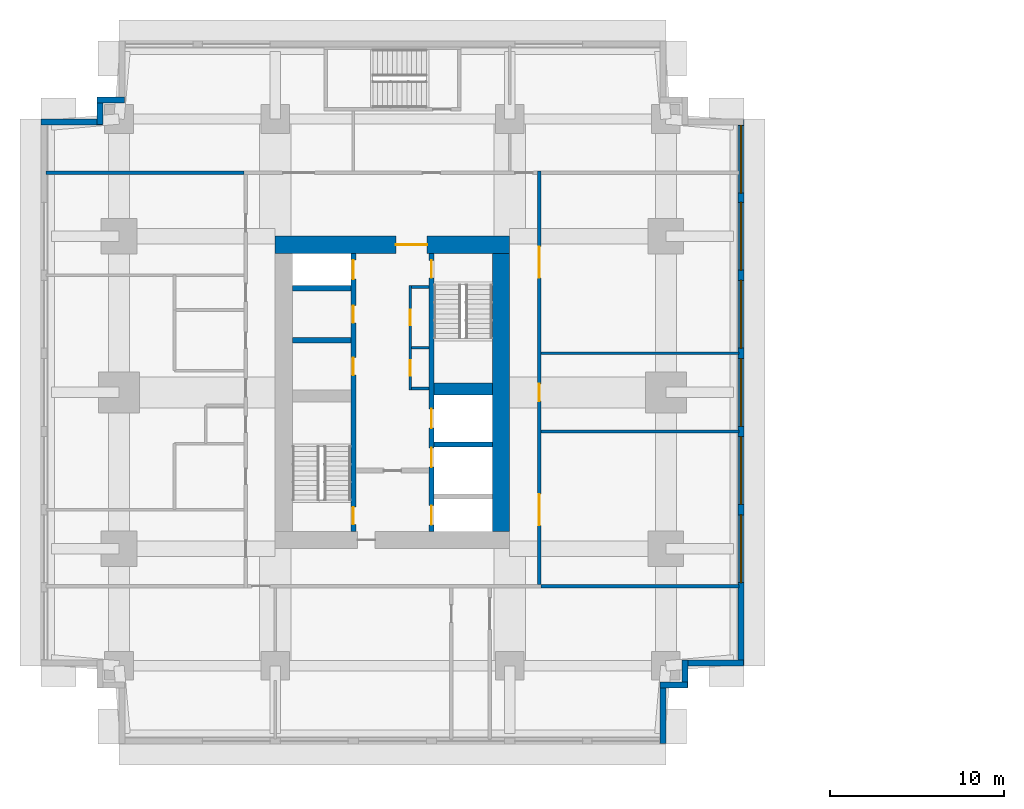
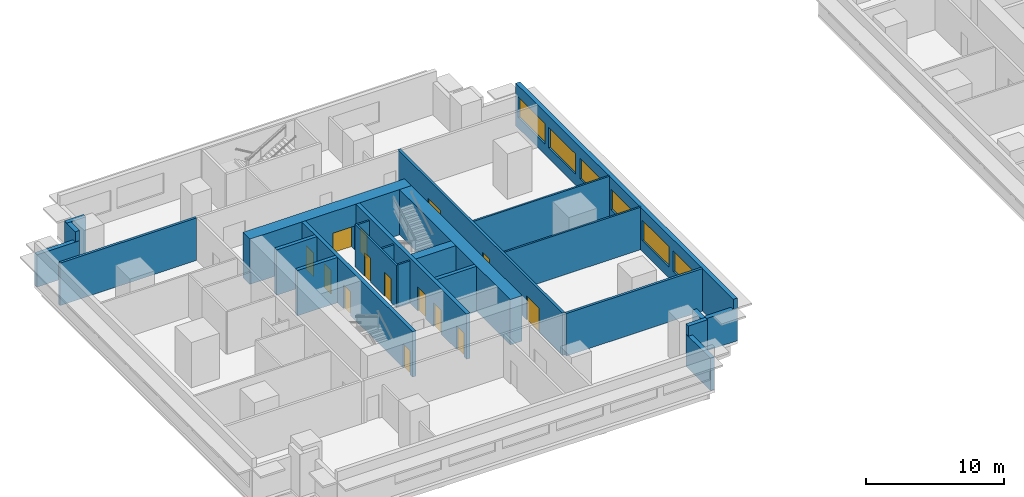
# One storey, part 4 of 11: 25 walls, 14 doors, 6 windows, 20 openings.
"""IFC4 building model written with IfcOpenShell, lengths in metres."""

from ifc_helpers import new_model, si_unit, direction, frame, frame_2d, origin, place, context, subcontext, project, spatial, rectangle, extrude, material, layer, layer_set, type_object, element, fill, save


model = new_model("IFC4")

# Units and contexts
model_context = context("Model", 3, precision=1e-05, world=origin(), true_north=direction((0.0, 1.0)))
body_context = subcontext(model_context, "Body", "Model", "MODEL_VIEW")
ifc_project = project(units=[si_unit("LENGTHUNIT", "METRE"), si_unit("AREAUNIT", "SQUARE_METRE"), si_unit("VOLUMEUNIT", "CUBIC_METRE"), si_unit("PLANEANGLEUNIT", "RADIAN"), si_unit("MASSUNIT", "GRAM", prefix="KILO")], contexts=[model_context])

# Site, building, storey
site_placement = place(None, origin())
site = spatial("IfcSite", under=ifc_project, at=site_placement, CompositionType="ELEMENT")
building_placement = place(site_placement, origin())
building = spatial("IfcBuilding", under=site, at=building_placement, Name="Namib Vertical Campus", CompositionType="ELEMENT")
storey_placement = place(building_placement, frame((0.0, 0.0, 201.0)))
storey = spatial("IfcBuildingStorey", under=building, at=storey_placement, Name="L47", CompositionType="ELEMENT", Elevation=201.0)

# Wall, openings, doors
ifc_material_1 = material(Name="Concrete C60/75", Category="concrete")
ifc_layer_1 = layer(ifc_material_1, 0.300048828125)
ifc_layer_set_1 = layer_set([ifc_layer_1], Name="Concrete C60/75")
wall_type_1 = type_object("IfcWallType", Name="Core inner wall 300", PredefinedType="SHEAR", material=ifc_layer_set_1)
wall_1_placement = place(storey_placement, frame((18.0, 12.25, 0.0), z_axis=(0.0, 0.0, 1.0), x_axis=(0.0, 1.0, 0.0)))
wall_1 = element("IfcWall", 1, at=wall_1_placement, inside=storey, type_object=wall_type_1, Name="Core inner wall A L47 W1", PredefinedType="SHEAR", context=body_context, shape_type="SweptSolid", body=[
    extrude(rectangle(XDim=16.0, YDim=0.300048828125, at=frame_2d((8.0, 0.0))), origin(), (0.0, 0.0, 1.0), 4.0),
])
opening_1_placement = place(wall_1_placement, frame((0.39990234375, 0.0, 0.0)))
opening_1 = element("IfcOpeningElement", 2, at=opening_1_placement, cuts=wall_1, Name="Opening FD1", PredefinedType="OPENING", context=body_context, shape_type="SweptSolid", body=[
    extrude(rectangle(XDim=1.0, YDim=2.10009765625, at=frame_2d((0.5, 1.050048828125))), frame((0.0, 0.159912109375, 0.0), z_axis=(0.0, -1.0, 0.0), x_axis=(1.0, 0.0, 0.0)), (0.0, 0.0, 1.0), 0.320068359375),
])
opening_2_placement = place(wall_1_placement, frame((14.52490234375, 0.0, 0.0)))
opening_2 = element("IfcOpeningElement", 3, at=opening_2_placement, cuts=wall_1, Name="Opening LD1", PredefinedType="OPENING", context=body_context, shape_type="SweptSolid", body=[
    extrude(rectangle(XDim=1.10009765625, YDim=2.10009765625, at=frame_2d((0.550048828125, 1.050048828125))), frame((0.0, 0.159912109375, 0.0), z_axis=(0.0, -1.0, 0.0), x_axis=(1.0, 0.0, 0.0)), (0.0, 0.0, 1.0), 0.320068359375),
])
opening_3_placement = place(wall_1_placement, frame((9.0, 0.0, 0.0)))
opening_3 = element("IfcOpeningElement", 4, at=opening_3_placement, cuts=wall_1, Name="Opening D1", PredefinedType="OPENING", context=body_context, shape_type="SweptSolid", body=[
    extrude(rectangle(XDim=1.0, YDim=2.10009765625, at=frame_2d((0.5, 1.050048828125))), frame((0.0, 0.159912109375, 0.0), z_axis=(0.0, -1.0, 0.0), x_axis=(1.0, 0.0, 0.0)), (0.0, 0.0, 1.0), 0.320068359375),
])
opening_4_placement = place(wall_1_placement, frame((12.0, 0.0, 0.0)))
opening_4 = element("IfcOpeningElement", 5, at=opening_4_placement, cuts=wall_1, Name="Opening D1", PredefinedType="OPENING", context=body_context, shape_type="SweptSolid", body=[
    extrude(rectangle(XDim=1.0, YDim=2.10009765625, at=frame_2d((0.5, 1.050048828125))), frame((0.0, 0.159912109375, 0.0), z_axis=(0.0, -1.0, 0.0), x_axis=(1.0, 0.0, 0.0)), (0.0, 0.0, 1.0), 0.320068359375),
])
ifc_material_2 = material(Name="Timber door leaf", Category="wood")
door_type_1 = type_object("IfcDoorType", Name="Door single 1000x2100", OperationType="SINGLE_SWING_LEFT", PredefinedType="DOOR", material=ifc_material_2)
door_1_placement = place(opening_3_placement, origin())
door_1 = element("IfcDoor", 6, at=door_1_placement, inside=storey, type_object=door_type_1, Name="Door D1 Store A L47 P1", OperationType="SINGLE_SWING_LEFT", OverallHeight=2.10009765625, OverallWidth=1.0, PredefinedType="DOOR", context=body_context, shape_type="SweptSolid", body=[
    extrude(rectangle(XDim=1.0, YDim=2.10009765625, at=frame_2d((0.5, 1.050048828125))), frame((0.0, 0.02490234375, 0.0), z_axis=(0.0, -1.0, 0.0), x_axis=(1.0, 0.0, 0.0)), (0.0, 0.0, 1.0), 0.050048828125),
])
fill(opening_3, door_1)
door_2_placement = place(opening_4_placement, origin())
door_2 = element("IfcDoor", 7, at=door_2_placement, inside=storey, type_object=door_type_1, Name="Door D1 Comms room A L47 P2", OperationType="SINGLE_SWING_LEFT", OverallHeight=2.10009765625, OverallWidth=1.0, PredefinedType="DOOR", context=body_context, shape_type="SweptSolid", body=[
    extrude(rectangle(XDim=1.0, YDim=2.10009765625, at=frame_2d((0.5, 1.050048828125))), frame((0.0, 0.02490234375, 0.0), z_axis=(0.0, -1.0, 0.0), x_axis=(1.0, 0.0, 0.0)), (0.0, 0.0, 1.0), 0.050048828125),
])
fill(opening_4, door_2)
ifc_material_3 = material(Name="Steel fire door", Category="steel")
door_type_2 = type_object("IfcDoorType", Name="Fire door 1000x2100", OperationType="SINGLE_SWING_RIGHT", PredefinedType="DOOR", material=ifc_material_3)
door_3_placement = place(opening_1_placement, origin())
door_3 = element("IfcDoor", 8, at=door_3_placement, inside=storey, type_object=door_type_2, Name="Stair door FD1 A L47 S1", OperationType="SINGLE_SWING_LEFT", OverallHeight=2.10009765625, OverallWidth=1.0, PredefinedType="DOOR", context=body_context, shape_type="SweptSolid", body=[
    extrude(rectangle(XDim=1.0, YDim=2.10009765625, at=frame_2d((0.5, 1.050048828125))), frame((0.0, 0.02490234375, 0.0), z_axis=(0.0, -1.0, 0.0), x_axis=(1.0, 0.0, 0.0)), (0.0, 0.0, 1.0), 0.050048828125),
])
fill(opening_1, door_3)
ifc_material_4 = material(Name="Stainless steel lift door", Category="steel")
door_type_3 = type_object("IfcDoorType", Name="Lift landing door 1100x2100", OperationType="DOUBLE_DOOR_SLIDING", PredefinedType="DOOR", material=ifc_material_4)
door_4_placement = place(opening_2_placement, origin())
door_4 = element("IfcDoor", 9, at=door_4_placement, inside=storey, type_object=door_type_3, Name="Lift landing door LD1 A-P3 L47", OperationType="DOUBLE_DOOR_SLIDING", OverallHeight=2.10009765625, OverallWidth=1.10009765625, PredefinedType="DOOR", context=body_context, shape_type="SweptSolid", body=[
    extrude(rectangle(XDim=1.10009765625, YDim=2.10009765625, at=frame_2d((0.550048828125, 1.050048828125))), frame((0.0, 0.02490234375, 0.0), z_axis=(0.0, -1.0, 0.0), x_axis=(1.0, 0.0, 0.0)), (0.0, 0.0, 1.0), 0.050048828125),
])
fill(opening_2, door_4)

wall_2_placement = place(storey_placement, frame((22.5, 12.25, 0.0), z_axis=(0.0, 0.0, 1.0), x_axis=(0.0, 1.0, 0.0)))
wall_2 = element("IfcWall", 10, at=wall_2_placement, inside=storey, type_object=wall_type_1, Name="Core inner wall A L47 W2", PredefinedType="SHEAR", context=body_context, shape_type="SweptSolid", body=[
    extrude(rectangle(XDim=16.0, YDim=0.300048828125, at=frame_2d((8.0, 0.0))), origin(), (0.0, 0.0, 1.0), 4.0),
])
opening_5_placement = place(wall_2_placement, frame((14.60009765625, 0.0, 0.0)))
opening_5 = element("IfcOpeningElement", 11, at=opening_5_placement, cuts=wall_2, Name="Opening FD1", PredefinedType="OPENING", context=body_context, shape_type="SweptSolid", body=[
    extrude(rectangle(XDim=1.0, YDim=2.10009765625, at=frame_2d((0.5, 1.050048828125))), frame((0.0, 0.159912109375, 0.0), z_axis=(0.0, -1.0, 0.0), x_axis=(1.0, 0.0, 0.0)), (0.0, 0.0, 1.0), 0.320068359375),
])
opening_6_placement = place(wall_2_placement, frame((0.375, 0.0, 0.0)))
opening_6 = element("IfcOpeningElement", 12, at=opening_6_placement, cuts=wall_2, Name="Opening LD1", PredefinedType="OPENING", context=body_context, shape_type="SweptSolid", body=[
    extrude(rectangle(XDim=1.10009765625, YDim=2.10009765625, at=frame_2d((0.550048828125, 1.050048828125))), frame((0.0, 0.159912109375, 0.0), z_axis=(0.0, -1.0, 0.0), x_axis=(1.0, 0.0, 0.0)), (0.0, 0.0, 1.0), 0.320068359375),
])
opening_7_placement = place(wall_2_placement, frame((3.699951171875, 0.0, 0.0)))
opening_7 = element("IfcOpeningElement", 13, at=opening_7_placement, cuts=wall_2, Name="Opening LD1", PredefinedType="OPENING", context=body_context, shape_type="SweptSolid", body=[
    extrude(rectangle(XDim=1.10009765625, YDim=2.10009765625, at=frame_2d((0.550048828125, 1.050048828125))), frame((0.0, 0.159912109375, 0.0), z_axis=(0.0, -1.0, 0.0), x_axis=(1.0, 0.0, 0.0)), (0.0, 0.0, 1.0), 0.320068359375),
])
opening_8_placement = place(wall_2_placement, frame((5.949951171875, 0.0, 0.0)))
opening_8 = element("IfcOpeningElement", 14, at=opening_8_placement, cuts=wall_2, Name="Opening LD1", PredefinedType="OPENING", context=body_context, shape_type="SweptSolid", body=[
    extrude(rectangle(XDim=1.10009765625, YDim=2.10009765625, at=frame_2d((0.550048828125, 1.050048828125))), frame((0.0, 0.159912109375, 0.0), z_axis=(0.0, -1.0, 0.0), x_axis=(1.0, 0.0, 0.0)), (0.0, 0.0, 1.0), 0.320068359375),
])
door_5_placement = place(opening_5_placement, frame((1.0, 0.0, 0.0), z_axis=(0.0, 0.0, 1.0), x_axis=(-1.0, 0.0, 0.0)))
door_5 = element("IfcDoor", 15, at=door_5_placement, inside=storey, type_object=door_type_2, Name="Stair door FD1 A L47 S2", OperationType="SINGLE_SWING_LEFT", OverallHeight=2.10009765625, OverallWidth=1.0, PredefinedType="DOOR", context=body_context, shape_type="SweptSolid", body=[
    extrude(rectangle(XDim=1.0, YDim=2.10009765625, at=frame_2d((0.5, 1.050048828125))), frame((0.0, 0.02490234375, 0.0), z_axis=(0.0, -1.0, 0.0), x_axis=(1.0, 0.0, 0.0)), (0.0, 0.0, 1.0), 0.050048828125),
])
fill(opening_5, door_5)
door_6_placement = place(opening_6_placement, origin())
door_6 = element("IfcDoor", 16, at=door_6_placement, inside=storey, type_object=door_type_3, Name="Lift landing door LD1 A-FL1 L47", OperationType="DOUBLE_DOOR_SLIDING", OverallHeight=2.10009765625, OverallWidth=1.10009765625, PredefinedType="DOOR", context=body_context, shape_type="SweptSolid", body=[
    extrude(rectangle(XDim=1.10009765625, YDim=2.10009765625, at=frame_2d((0.550048828125, 1.050048828125))), frame((0.0, 0.02490234375, 0.0), z_axis=(0.0, -1.0, 0.0), x_axis=(1.0, 0.0, 0.0)), (0.0, 0.0, 1.0), 0.050048828125),
])
fill(opening_6, door_6)
door_7_placement = place(opening_7_placement, origin())
door_7 = element("IfcDoor", 17, at=door_7_placement, inside=storey, type_object=door_type_3, Name="Lift landing door LD1 A-P4 L47", OperationType="DOUBLE_DOOR_SLIDING", OverallHeight=2.10009765625, OverallWidth=1.10009765625, PredefinedType="DOOR", context=body_context, shape_type="SweptSolid", body=[
    extrude(rectangle(XDim=1.10009765625, YDim=2.10009765625, at=frame_2d((0.550048828125, 1.050048828125))), frame((0.0, 0.02490234375, 0.0), z_axis=(0.0, -1.0, 0.0), x_axis=(1.0, 0.0, 0.0)), (0.0, 0.0, 1.0), 0.050048828125),
])
fill(opening_7, door_7)
door_8_placement = place(opening_8_placement, origin())
door_8 = element("IfcDoor", 18, at=door_8_placement, inside=storey, type_object=door_type_3, Name="Lift landing door LD1 A-P5 L47", OperationType="DOUBLE_DOOR_SLIDING", OverallHeight=2.10009765625, OverallWidth=1.10009765625, PredefinedType="DOOR", context=body_context, shape_type="SweptSolid", body=[
    extrude(rectangle(XDim=1.10009765625, YDim=2.10009765625, at=frame_2d((0.550048828125, 1.050048828125))), frame((0.0, 0.02490234375, 0.0), z_axis=(0.0, -1.0, 0.0), x_axis=(1.0, 0.0, 0.0)), (0.0, 0.0, 1.0), 0.050048828125),
])
fill(opening_8, door_8)

# Walls
for number, where, z_axis, x_axis, name in (
    (19, (22.64990234375, 17.25, 0.0), (0.0, 0.0, 1.0), (1.0, 0.0, 0.0), "Core inner wall A L47 W6"),
    (20, (14.5, 23.25, 0.0), (0.0, 0.0, 1.0), (1.0, 0.0, 0.0), "Core inner wall A L47 W8"),
    (21, (14.5, 26.25, 0.0), (0.0, 0.0, 1.0), (1.0, 0.0, 0.0), "Core inner wall A L47 W9"),
):
    element("IfcWall", number, at=place(storey_placement, frame(where, z_axis=z_axis, x_axis=x_axis)), inside=storey, type_object=wall_type_1, Name=name, PredefinedType="SHEAR", context=body_context, shape_type="SweptSolid", body=[
        extrude(rectangle(XDim=3.35009765625, YDim=0.300048828125, at=frame_2d((1.675048828125, 0.0))), origin(), (0.0, 0.0, 1.0), 4.0),
    ])
ifc_material_5 = material(Name="Concrete C60/75", Category="concrete")
ifc_layer_2 = layer(ifc_material_5, 0.699951171875)
ifc_layer_set_2 = layer_set([ifc_layer_2], Name="Concrete C60/75")
wall_type_2 = type_object("IfcWallType", Name="Core shear wall 700", PredefinedType="SHEAR", material=ifc_layer_set_2)
wall_3_placement = place(storey_placement, frame((22.64990234375, 20.449951171875, 0.0), z_axis=(0.0, 0.0, 1.0), x_axis=(1.0, 0.0, 0.0)))
element("IfcWall", 22, at=wall_3_placement, inside=storey, type_object=wall_type_2, Name="Core shear wall A L47 W7", PredefinedType="SHEAR", context=body_context, shape_type="SweptSolid", body=[
    extrude(rectangle(XDim=3.35009765625, YDim=0.699951171875, at=frame_2d((1.675048828125, 0.0))), origin(), (0.0, 0.0, 1.0), 4.0),
])
ifc_material_6 = material(Name="Concrete C60/75", Category="concrete")
ifc_layer_3 = layer(ifc_material_6, 1.0)
ifc_layer_set_3 = layer_set([ifc_layer_3], Name="Concrete C60/75")
wall_type_3 = type_object("IfcWallType", Name="Core wall 1000", PredefinedType="SHEAR", material=ifc_layer_set_3)
wall_4_placement = place(storey_placement, frame((26.5, 12.25, 0.0), z_axis=(0.0, 0.0, 1.0), x_axis=(0.0, 1.0, 0.0)))
element("IfcWall", 23, at=wall_4_placement, inside=storey, type_object=wall_type_3, Name="Core wall A L47 2", PredefinedType="SHEAR", context=body_context, shape_type="SweptSolid", body=[
    extrude(rectangle(XDim=16.0, YDim=1.0, at=frame_2d((8.0, 0.0))), origin(), (0.0, 0.0, 1.0), 4.0),
])

# Wall, opening, door
wall_5_placement = place(storey_placement, frame((27.0, 28.75, 0.0), z_axis=(0.0, 0.0, 1.0), x_axis=(-1.0, 0.0, 0.0)))
wall_5 = element("IfcWall", 24, at=wall_5_placement, inside=storey, type_object=wall_type_3, Name="Core wall A L47 3", PredefinedType="SHEAR", context=body_context, shape_type="SweptSolid", body=[
    extrude(rectangle(XDim=13.5, YDim=1.0, at=frame_2d((6.75, 0.0))), origin(), (0.0, 0.0, 1.0), 4.0),
])
opening_9_placement = place(wall_5_placement, frame((4.75, 0.0, 0.0)))
opening_9 = element("IfcOpeningElement", 25, at=opening_9_placement, cuts=wall_5, Name="Opening FD2", PredefinedType="OPENING", context=body_context, shape_type="SweptSolid", body=[
    extrude(rectangle(XDim=1.800048828125, YDim=2.10009765625, at=frame_2d((0.89990234375, 1.050048828125))), frame((0.0, 0.510009765625, 0.0), z_axis=(0.0, -1.0, 0.0), x_axis=(1.0, 0.0, 0.0)), (0.0, 0.0, 1.0), 1.02001953125),
])
ifc_material_7 = material(Name="Steel fire door", Category="steel")
door_type_4 = type_object("IfcDoorType", Name="Fire door double 1800x2100", OperationType="DOUBLE_DOOR_SINGLE_SWING", PredefinedType="DOOR", material=ifc_material_7)
door_9_placement = place(opening_9_placement, origin())
door_9 = element("IfcDoor", 26, at=door_9_placement, inside=storey, type_object=door_type_4, Name="Lift lobby door FD2 A L47", OperationType="DOUBLE_DOOR_SINGLE_SWING", OverallHeight=2.10009765625, OverallWidth=1.800048828125, PredefinedType="DOOR", context=body_context, shape_type="SweptSolid", body=[
    extrude(rectangle(XDim=1.800048828125, YDim=2.10009765625, at=frame_2d((0.89990234375, 1.050048828125))), frame((0.0, 0.02490234375, 0.0), z_axis=(0.0, -1.0, 0.0), x_axis=(1.0, 0.0, 0.0)), (0.0, 0.0, 1.0), 0.050048828125),
])
fill(opening_9, door_9)

# Wall, openings, doors
ifc_material_8 = material(Name="Concrete masonry", Category="masonry")
ifc_layer_4 = layer(ifc_material_8, 0.199951171875)
ifc_layer_set_4 = layer_set([ifc_layer_4], Name="Corridor wall 200")
wall_type_4 = type_object("IfcWallType", Name="Corridor wall 200", PredefinedType="SOLIDWALL", material=ifc_layer_set_4)
wall_6_placement = place(storey_placement, frame((28.699951171875, 9.199951171875, 0.0), z_axis=(0.0, 0.0, 1.0), x_axis=(0.0, 1.0, 0.0)))
wall_6 = element("IfcWall", 27, at=wall_6_placement, inside=storey, type_object=wall_type_4, Name="Corridor wall A L47 CE", PredefinedType="SOLIDWALL", context=body_context, shape_type="SweptSolid", body=[
    extrude(rectangle(XDim=23.800048828125, YDim=0.199951171875, at=frame_2d((11.89990234375, 0.0))), origin(), (0.0, 0.0, 1.0), 3.75),
])
opening_10_placement = place(wall_6_placement, frame((3.39990234375, 0.0, 0.0)))
opening_10 = element("IfcOpeningElement", 28, at=opening_10_placement, cuts=wall_6, Name="Opening CD2", PredefinedType="OPENING", context=body_context, shape_type="SweptSolid", body=[
    extrude(rectangle(XDim=1.800048828125, YDim=2.10009765625, at=frame_2d((0.89990234375, 1.050048828125))), frame((0.0, 0.10986328125, 0.0), z_axis=(0.0, -1.0, 0.0), x_axis=(1.0, 0.0, 0.0)), (0.0, 0.0, 1.0), 0.219970703125),
])
opening_11_placement = place(wall_6_placement, frame((10.550048828125, 0.0, 0.0)))
opening_11 = element("IfcOpeningElement", 29, at=opening_11_placement, cuts=wall_6, Name="Opening CD1", PredefinedType="OPENING", context=body_context, shape_type="SweptSolid", body=[
    extrude(rectangle(XDim=1.0, YDim=2.10009765625, at=frame_2d((0.5, 1.050048828125))), frame((0.0, 0.10986328125, 0.0), z_axis=(0.0, -1.0, 0.0), x_axis=(1.0, 0.0, 0.0)), (0.0, 0.0, 1.0), 0.219970703125),
])
opening_12_placement = place(wall_6_placement, frame((17.64990234375, 0.0, 0.0)))
opening_12 = element("IfcOpeningElement", 30, at=opening_12_placement, cuts=wall_6, Name="Opening CD2", PredefinedType="OPENING", context=body_context, shape_type="SweptSolid", body=[
    extrude(rectangle(XDim=1.800048828125, YDim=2.10009765625, at=frame_2d((0.89990234375, 1.050048828125))), frame((0.0, 0.10986328125, 0.0), z_axis=(0.0, -1.0, 0.0), x_axis=(1.0, 0.0, 0.0)), (0.0, 0.0, 1.0), 0.219970703125),
])
ifc_material_9 = material(Name="Timber fire door leaf", Category="wood")
door_type_5 = type_object("IfcDoorType", Name="Corridor door 1000x2100 20 min", OperationType="SINGLE_SWING_LEFT", PredefinedType="DOOR", material=ifc_material_9)
door_10_placement = place(opening_11_placement, frame((1.0, 0.0, 0.0), z_axis=(0.0, 0.0, 1.0), x_axis=(-1.0, 0.0, 0.0)))
door_10 = element("IfcDoor", 31, at=door_10_placement, inside=storey, type_object=door_type_5, Name="Door CD1 A47-05", OperationType="SINGLE_SWING_RIGHT", OverallHeight=2.10009765625, OverallWidth=1.0, PredefinedType="DOOR", context=body_context, shape_type="SweptSolid", body=[
    extrude(rectangle(XDim=1.0, YDim=2.10009765625, at=frame_2d((0.5, 1.050048828125))), frame((0.0, 0.02490234375, 0.0), z_axis=(0.0, -1.0, 0.0), x_axis=(1.0, 0.0, 0.0)), (0.0, 0.0, 1.0), 0.050048828125),
])
fill(opening_11, door_10)
ifc_material_10 = material(Name="Timber fire door leaf", Category="wood")
door_type_6 = type_object("IfcDoorType", Name="Corridor door double 1800x2100 20 min", OperationType="DOUBLE_DOOR_SINGLE_SWING", PredefinedType="DOOR", material=ifc_material_10)
door_11_placement = place(opening_10_placement, frame((1.800048828125, 0.0, 0.0), z_axis=(0.0, 0.0, 1.0), x_axis=(-1.0, 0.0, 0.0)))
door_11 = element("IfcDoor", 32, at=door_11_placement, inside=storey, type_object=door_type_6, Name="Door CD2 A47-04", OperationType="DOUBLE_DOOR_SINGLE_SWING", OverallHeight=2.10009765625, OverallWidth=1.800048828125, PredefinedType="DOOR", context=body_context, shape_type="SweptSolid", body=[
    extrude(rectangle(XDim=1.800048828125, YDim=2.10009765625, at=frame_2d((0.89990234375, 1.050048828125))), frame((0.0, 0.02490234375, 0.0), z_axis=(0.0, -1.0, 0.0), x_axis=(1.0, 0.0, 0.0)), (0.0, 0.0, 1.0), 0.050048828125),
])
fill(opening_10, door_11)
door_12_placement = place(opening_12_placement, frame((1.800048828125, 0.0, 0.0), z_axis=(0.0, 0.0, 1.0), x_axis=(-1.0, 0.0, 0.0)))
door_12 = element("IfcDoor", 33, at=door_12_placement, inside=storey, type_object=door_type_6, Name="Door CD2 A47-06", OperationType="DOUBLE_DOOR_SINGLE_SWING", OverallHeight=2.10009765625, OverallWidth=1.800048828125, PredefinedType="DOOR", context=body_context, shape_type="SweptSolid", body=[
    extrude(rectangle(XDim=1.800048828125, YDim=2.10009765625, at=frame_2d((0.89990234375, 1.050048828125))), frame((0.0, 0.02490234375, 0.0), z_axis=(0.0, -1.0, 0.0), x_axis=(1.0, 0.0, 0.0)), (0.0, 0.0, 1.0), 0.050048828125),
])
fill(opening_12, door_12)

# Walls
for number, where, z_axis, x_axis, name in (
    (34, (28.800048828125, 9.10009765625, 0.0), (0.0, 0.0, 1.0), (1.0, 0.0, 0.0), "Partition A L47 BSE"),
    (35, (0.300048828125, 32.89990234375, 0.0), (0.0, 0.0, 1.0), (1.0, 0.0, 0.0), "Partition A L47 BNW"),
):
    element("IfcWall", number, at=place(storey_placement, frame(where, z_axis=z_axis, x_axis=x_axis)), inside=storey, type_object=wall_type_4, Name=name, PredefinedType="SOLIDWALL", context=body_context, shape_type="SweptSolid", body=[
        extrude(rectangle(XDim=11.39990234375, YDim=0.199951171875, at=frame_2d((5.699951171875, 0.0))), origin(), (0.0, 0.0, 1.0), 3.75),
    ])
ifc_material_11 = material(Name="Concrete C40/50", Category="concrete")
ifc_layer_5 = layer(ifc_material_11, 0.35009765625)
ifc_layer_set_5 = layer_set([ifc_layer_5], Name="Concrete C40/50")
wall_type_5 = type_object("IfcWallType", Name="External wall 350 bush-hammered concrete", PredefinedType="STANDARD", material=ifc_layer_set_5)
wall_7_placement = place(storey_placement, frame((35.824951171875, 0.02001953125, 0.0), z_axis=(0.0, 0.0, 1.0), x_axis=(0.0, 1.0, 0.0)))
element("IfcWall", 36, at=wall_7_placement, inside=storey, type_object=wall_type_5, Name="External wall L47 F02", PredefinedType="STANDARD", context=body_context, shape_type="SweptSolid", body=[
    extrude(rectangle(XDim=3.534912109375, YDim=0.35009765625, at=frame_2d((1.767578125, 0.0))), origin(), (0.0, 0.0, 1.0), 2.85009765625),
])
for number, where, z_axis, x_axis, name in (
    (37, (35.669921875, 3.39990234375, 0.0), (0.0, 0.0, 1.0), (1.0, 0.0, 0.0), "External wall L47 F03"),
    (38, (37.10009765625, 3.2451171875, 0.0), (0.0, 0.0, 1.0), (0.0, 1.0, 0.0), "External wall L47 F04"),
):
    element("IfcWall", number, at=place(storey_placement, frame(where, z_axis=z_axis, x_axis=x_axis)), inside=storey, type_object=wall_type_5, Name=name, PredefinedType="STANDARD", context=body_context, shape_type="SweptSolid", body=[
        extrude(rectangle(XDim=1.5849609375, YDim=0.35009765625, at=frame_2d((0.79248046875, 0.0))), origin(), (0.0, 0.0, 1.0), 3.75),
    ])
wall_8_placement = place(storey_placement, frame((36.945068359375, 4.675048828125, 0.0), z_axis=(0.0, 0.0, 1.0), x_axis=(1.0, 0.0, 0.0)))
element("IfcWall", 39, at=wall_8_placement, inside=storey, type_object=wall_type_5, Name="External wall L47 F05", PredefinedType="STANDARD", context=body_context, shape_type="SweptSolid", body=[
    extrude(rectangle(XDim=3.534912109375, YDim=0.35009765625, at=frame_2d((1.767578125, 0.0))), origin(), (0.0, 0.0, 1.0), 2.85009765625),
])

# Wall, openings, windows
wall_9_placement = place(storey_placement, frame((40.324951171875, 4.52001953125, 0.0), z_axis=(0.0, 0.0, 1.0), x_axis=(0.0, 1.0, 0.0)))
wall_9 = element("IfcWall", 40, at=wall_9_placement, inside=storey, type_object=wall_type_5, Name="External wall L47 F06", PredefinedType="STANDARD", context=body_context, shape_type="SweptSolid", body=[
    extrude(rectangle(XDim=31.4599609375, YDim=0.35009765625, at=frame_2d((15.72998046875, 0.0))), origin(), (0.0, 0.0, 1.0), 3.75),
])
opening_13_placement = place(wall_9_placement, frame((4.780029296875, 0.0, 0.949951171875)))
opening_13 = element("IfcOpeningElement", 41, at=opening_13_placement, cuts=wall_9, Name="Opening W3", PredefinedType="OPENING", context=body_context, shape_type="SweptSolid", body=[
    extrude(rectangle(XDim=3.89990234375, YDim=1.800048828125, at=frame_2d((1.949951171875, 0.89990234375))), frame((0.0, 0.18505859375, 0.0), z_axis=(0.0, -1.0, 0.0), x_axis=(1.0, 0.0, 0.0)), (0.0, 0.0, 1.0), 0.3701171875),
])
opening_14_placement = place(wall_9_placement, frame((9.280029296875, 0.0, 0.949951171875)))
opening_14 = element("IfcOpeningElement", 42, at=opening_14_placement, cuts=wall_9, Name="Opening W3", PredefinedType="OPENING", context=body_context, shape_type="SweptSolid", body=[
    extrude(rectangle(XDim=3.89990234375, YDim=1.800048828125, at=frame_2d((1.949951171875, 0.89990234375))), frame((0.0, 0.18505859375, 0.0), z_axis=(0.0, -1.0, 0.0), x_axis=(1.0, 0.0, 0.0)), (0.0, 0.0, 1.0), 0.3701171875),
])
opening_15_placement = place(wall_9_placement, frame((13.780029296875, 0.0, 0.949951171875)))
opening_15 = element("IfcOpeningElement", 43, at=opening_15_placement, cuts=wall_9, Name="Opening W3", PredefinedType="OPENING", context=body_context, shape_type="SweptSolid", body=[
    extrude(rectangle(XDim=3.89990234375, YDim=1.800048828125, at=frame_2d((1.949951171875, 0.89990234375))), frame((0.0, 0.18505859375, 0.0), z_axis=(0.0, -1.0, 0.0), x_axis=(1.0, 0.0, 0.0)), (0.0, 0.0, 1.0), 0.3701171875),
])
opening_16_placement = place(wall_9_placement, frame((18.280029296875, 0.0, 0.949951171875)))
opening_16 = element("IfcOpeningElement", 44, at=opening_16_placement, cuts=wall_9, Name="Opening W3", PredefinedType="OPENING", context=body_context, shape_type="SweptSolid", body=[
    extrude(rectangle(XDim=3.89990234375, YDim=1.800048828125, at=frame_2d((1.949951171875, 0.89990234375))), frame((0.0, 0.18505859375, 0.0), z_axis=(0.0, -1.0, 0.0), x_axis=(1.0, 0.0, 0.0)), (0.0, 0.0, 1.0), 0.3701171875),
])
opening_17_placement = place(wall_9_placement, frame((22.780029296875, 0.0, 0.949951171875)))
opening_17 = element("IfcOpeningElement", 45, at=opening_17_placement, cuts=wall_9, Name="Opening W3", PredefinedType="OPENING", context=body_context, shape_type="SweptSolid", body=[
    extrude(rectangle(XDim=3.89990234375, YDim=1.800048828125, at=frame_2d((1.949951171875, 0.89990234375))), frame((0.0, 0.18505859375, 0.0), z_axis=(0.0, -1.0, 0.0), x_axis=(1.0, 0.0, 0.0)), (0.0, 0.0, 1.0), 0.3701171875),
])
opening_18_placement = place(wall_9_placement, frame((27.2099609375, 0.0, 0.949951171875)))
opening_18 = element("IfcOpeningElement", 46, at=opening_18_placement, cuts=wall_9, Name="Opening W3", PredefinedType="OPENING", context=body_context, shape_type="SweptSolid", body=[
    extrude(rectangle(XDim=3.89990234375, YDim=1.800048828125, at=frame_2d((1.949951171875, 0.89990234375))), frame((0.0, 0.18505859375, 0.0), z_axis=(0.0, -1.0, 0.0), x_axis=(1.0, 0.0, 0.0)), (0.0, 0.0, 1.0), 0.3701171875),
])
ifc_material_12 = material(Name="Dark tinted glass in black aluminium frame", Category="aluminium")
window_type = type_object("IfcWindowType", Name="Ribbon window 3900x1800", PartitioningType="SINGLE_PANEL", PredefinedType="WINDOW", material=ifc_material_12)
window_1_placement = place(opening_13_placement, origin())
window_1 = element("IfcWindow", 47, at=window_1_placement, inside=storey, type_object=window_type, Name="Window W3 L47 F06-2", OverallHeight=1.800048828125, OverallWidth=3.89990234375, PartitioningType="SINGLE_PANEL", PredefinedType="WINDOW", context=body_context, shape_type="SweptSolid", body=[
    extrude(rectangle(XDim=3.89990234375, YDim=1.800048828125, at=frame_2d((1.949951171875, 0.89990234375))), frame((0.0, 0.030029296875, 0.0), z_axis=(0.0, -1.0, 0.0), x_axis=(1.0, 0.0, 0.0)), (0.0, 0.0, 1.0), 0.06005859375),
])
fill(opening_13, window_1)
window_2_placement = place(opening_14_placement, origin())
window_2 = element("IfcWindow", 48, at=window_2_placement, inside=storey, type_object=window_type, Name="Window W3 L47 F06-3", OverallHeight=1.800048828125, OverallWidth=3.89990234375, PartitioningType="SINGLE_PANEL", PredefinedType="WINDOW", context=body_context, shape_type="SweptSolid", body=[
    extrude(rectangle(XDim=3.89990234375, YDim=1.800048828125, at=frame_2d((1.949951171875, 0.89990234375))), frame((0.0, 0.030029296875, 0.0), z_axis=(0.0, -1.0, 0.0), x_axis=(1.0, 0.0, 0.0)), (0.0, 0.0, 1.0), 0.06005859375),
])
fill(opening_14, window_2)
window_3_placement = place(opening_15_placement, origin())
window_3 = element("IfcWindow", 49, at=window_3_placement, inside=storey, type_object=window_type, Name="Window W3 L47 F06-4", OverallHeight=1.800048828125, OverallWidth=3.89990234375, PartitioningType="SINGLE_PANEL", PredefinedType="WINDOW", context=body_context, shape_type="SweptSolid", body=[
    extrude(rectangle(XDim=3.89990234375, YDim=1.800048828125, at=frame_2d((1.949951171875, 0.89990234375))), frame((0.0, 0.030029296875, 0.0), z_axis=(0.0, -1.0, 0.0), x_axis=(1.0, 0.0, 0.0)), (0.0, 0.0, 1.0), 0.06005859375),
])
fill(opening_15, window_3)
window_4_placement = place(opening_16_placement, origin())
window_4 = element("IfcWindow", 50, at=window_4_placement, inside=storey, type_object=window_type, Name="Window W3 L47 F06-5", OverallHeight=1.800048828125, OverallWidth=3.89990234375, PartitioningType="SINGLE_PANEL", PredefinedType="WINDOW", context=body_context, shape_type="SweptSolid", body=[
    extrude(rectangle(XDim=3.89990234375, YDim=1.800048828125, at=frame_2d((1.949951171875, 0.89990234375))), frame((0.0, 0.030029296875, 0.0), z_axis=(0.0, -1.0, 0.0), x_axis=(1.0, 0.0, 0.0)), (0.0, 0.0, 1.0), 0.06005859375),
])
fill(opening_16, window_4)
window_5_placement = place(opening_17_placement, origin())
window_5 = element("IfcWindow", 51, at=window_5_placement, inside=storey, type_object=window_type, Name="Window W3 L47 F06-6", OverallHeight=1.800048828125, OverallWidth=3.89990234375, PartitioningType="SINGLE_PANEL", PredefinedType="WINDOW", context=body_context, shape_type="SweptSolid", body=[
    extrude(rectangle(XDim=3.89990234375, YDim=1.800048828125, at=frame_2d((1.949951171875, 0.89990234375))), frame((0.0, 0.030029296875, 0.0), z_axis=(0.0, -1.0, 0.0), x_axis=(1.0, 0.0, 0.0)), (0.0, 0.0, 1.0), 0.06005859375),
])
fill(opening_17, window_5)
window_6_placement = place(opening_18_placement, origin())
window_6 = element("IfcWindow", 52, at=window_6_placement, inside=storey, type_object=window_type, Name="Window W3 L47 F06-7", OverallHeight=1.800048828125, OverallWidth=3.89990234375, PartitioningType="SINGLE_PANEL", PredefinedType="WINDOW", context=body_context, shape_type="SweptSolid", body=[
    extrude(rectangle(XDim=3.89990234375, YDim=1.800048828125, at=frame_2d((1.949951171875, 0.89990234375))), frame((0.0, 0.030029296875, 0.0), z_axis=(0.0, -1.0, 0.0), x_axis=(1.0, 0.0, 0.0)), (0.0, 0.0, 1.0), 0.06005859375),
])
fill(opening_18, window_6)

# Walls
for number, where, z_axis, x_axis, name in (
    (53, (4.830078125, 37.10009765625, 0.0), (0.0, 0.0, 1.0), (-1.0, 0.0, 0.0), "External wall L47 F13"),
    (54, (3.39990234375, 37.2548828125, 0.0), (0.0, 0.0, 1.0), (0.0, -1.0, 0.0), "External wall L47 F14"),
):
    element("IfcWall", number, at=place(storey_placement, frame(where, z_axis=z_axis, x_axis=x_axis)), inside=storey, type_object=wall_type_5, Name=name, PredefinedType="STANDARD", context=body_context, shape_type="SweptSolid", body=[
        extrude(rectangle(XDim=1.5849609375, YDim=0.35009765625, at=frame_2d((0.79248046875, 0.0))), origin(), (0.0, 0.0, 1.0), 3.75),
    ])
wall_10_placement = place(storey_placement, frame((3.554931640625, 35.824951171875, 0.0), z_axis=(0.0, 0.0, 1.0), x_axis=(-1.0, 0.0, 0.0)))
element("IfcWall", 55, at=wall_10_placement, inside=storey, type_object=wall_type_5, Name="External wall L47 F15", PredefinedType="STANDARD", context=body_context, shape_type="SweptSolid", body=[
    extrude(rectangle(XDim=3.534912109375, YDim=0.35009765625, at=frame_2d((1.767578125, 0.0))), origin(), (0.0, 0.0, 1.0), 2.85009765625),
])

# Wall, openings, doors
ifc_material_13 = material(Name="Gypsum board on steel studs", Category="steel")
ifc_layer_6 = layer(ifc_material_13, 0.14990234375)
ifc_layer_set_6 = layer_set([ifc_layer_6], Name="Gypsum board on steel studs")
wall_type_6 = type_object("IfcWallType", Name="Partition 150", PredefinedType="PARTITIONING", material=ifc_layer_set_6)
wall_11_placement = place(storey_placement, frame((21.27490234375, 20.39990234375, 0.0), z_axis=(0.0, 0.0, 1.0), x_axis=(0.0, 1.0, 0.0)))
wall_11 = element("IfcWall", 56, at=wall_11_placement, inside=storey, type_object=wall_type_6, Name="Partition A L47 Cleaners' store and Tea point front", PredefinedType="PARTITIONING", context=body_context, shape_type="SweptSolid", body=[
    extrude(rectangle(XDim=6.0, YDim=0.14990234375, at=frame_2d((3.0, 0.0))), origin(), (0.0, 0.0, 1.0), 3.75),
])
opening_19_placement = place(wall_11_placement, frame((0.800048828125, 0.0, 0.0)))
opening_19 = element("IfcOpeningElement", 57, at=opening_19_placement, cuts=wall_11, Name="Opening D3", PredefinedType="OPENING", context=body_context, shape_type="SweptSolid", body=[
    extrude(rectangle(XDim=0.89990234375, YDim=2.10009765625, at=frame_2d((0.449951171875, 1.050048828125))), frame((0.0, 0.0849609375, 0.0), z_axis=(0.0, -1.0, 0.0), x_axis=(1.0, 0.0, 0.0)), (0.0, 0.0, 1.0), 0.169921875),
])
opening_20_placement = place(wall_11_placement, frame((3.72509765625, 0.0, 0.0)))
opening_20 = element("IfcOpeningElement", 58, at=opening_20_placement, cuts=wall_11, Name="Opening D3", PredefinedType="OPENING", context=body_context, shape_type="SweptSolid", body=[
    extrude(rectangle(XDim=0.89990234375, YDim=2.10009765625, at=frame_2d((0.449951171875, 1.050048828125))), frame((0.0, 0.0849609375, 0.0), z_axis=(0.0, -1.0, 0.0), x_axis=(1.0, 0.0, 0.0)), (0.0, 0.0, 1.0), 0.169921875),
])
ifc_material_14 = material(Name="Timber door leaf", Category="wood")
door_type_7 = type_object("IfcDoorType", Name="Toilet door 900x2100", OperationType="SINGLE_SWING_LEFT", PredefinedType="DOOR", material=ifc_material_14)
door_13_placement = place(opening_19_placement, frame((0.89990234375, 0.0, 0.0), z_axis=(0.0, 0.0, 1.0), x_axis=(-1.0, 0.0, 0.0)))
door_13 = element("IfcDoor", 59, at=door_13_placement, inside=storey, type_object=door_type_7, Name="Door D3 Cleaners' store A L47", OperationType="SINGLE_SWING_RIGHT", OverallHeight=2.10009765625, OverallWidth=0.89990234375, PredefinedType="DOOR", context=body_context, shape_type="SweptSolid", body=[
    extrude(rectangle(XDim=0.89990234375, YDim=2.10009765625, at=frame_2d((0.449951171875, 1.050048828125))), frame((0.0, 0.02490234375, 0.0), z_axis=(0.0, -1.0, 0.0), x_axis=(1.0, 0.0, 0.0)), (0.0, 0.0, 1.0), 0.050048828125),
])
fill(opening_19, door_13)
door_14_placement = place(opening_20_placement, frame((0.89990234375, 0.0, 0.0), z_axis=(0.0, 0.0, 1.0), x_axis=(-1.0, 0.0, 0.0)))
door_14 = element("IfcDoor", 60, at=door_14_placement, inside=storey, type_object=door_type_7, Name="Door D3 Tea point A L47", OperationType="SINGLE_SWING_RIGHT", OverallHeight=2.10009765625, OverallWidth=0.89990234375, PredefinedType="DOOR", context=body_context, shape_type="SweptSolid", body=[
    extrude(rectangle(XDim=0.89990234375, YDim=2.10009765625, at=frame_2d((0.449951171875, 1.050048828125))), frame((0.0, 0.02490234375, 0.0), z_axis=(0.0, -1.0, 0.0), x_axis=(1.0, 0.0, 0.0)), (0.0, 0.0, 1.0), 0.050048828125),
])
fill(opening_20, door_14)

# Walls
for number, where, z_axis, x_axis, name in (
    (61, (21.35009765625, 20.47509765625, 0.0), (0.0, 0.0, 1.0), (1.0, 0.0, 0.0), "Partition A L47 Cleaners' store and Tea point end 1"),
    (62, (21.35009765625, 22.824951171875, 0.0), (0.0, 0.0, 1.0), (1.0, 0.0, 0.0), "Partition A L47 Cleaners' store and Tea point division 2"),
    (63, (21.35009765625, 26.324951171875, 0.0), (0.0, 0.0, 1.0), (1.0, 0.0, 0.0), "Partition A L47 Cleaners' store and Tea point end 3"),
):
    element("IfcWall", number, at=place(storey_placement, frame(where, z_axis=z_axis, x_axis=x_axis)), inside=storey, type_object=wall_type_6, Name=name, PredefinedType="PARTITIONING", context=body_context, shape_type="SweptSolid", body=[
        extrude(rectangle(XDim=1.0, YDim=0.14990234375, at=frame_2d((0.5, 0.0))), origin(), (0.0, 0.0, 1.0), 3.75),
    ])
for number, where, z_axis, x_axis, name in (
    (64, (28.800048828125, 18.0, 0.0), (0.0, 0.0, 1.0), (1.0, 0.0, 0.0), "Partition A L47 PE1"),
    (65, (28.800048828125, 22.5, 0.0), (0.0, 0.0, 1.0), (1.0, 0.0, 0.0), "Partition A L47 PE2"),
):
    element("IfcWall", number, at=place(storey_placement, frame(where, z_axis=z_axis, x_axis=x_axis)), inside=storey, type_object=wall_type_6, Name=name, PredefinedType="PARTITIONING", context=body_context, shape_type="SweptSolid", body=[
        extrude(rectangle(XDim=11.39990234375, YDim=0.14990234375, at=frame_2d((5.699951171875, 0.0))), origin(), (0.0, 0.0, 1.0), 3.75),
    ])

save(model, "model.ifc")
